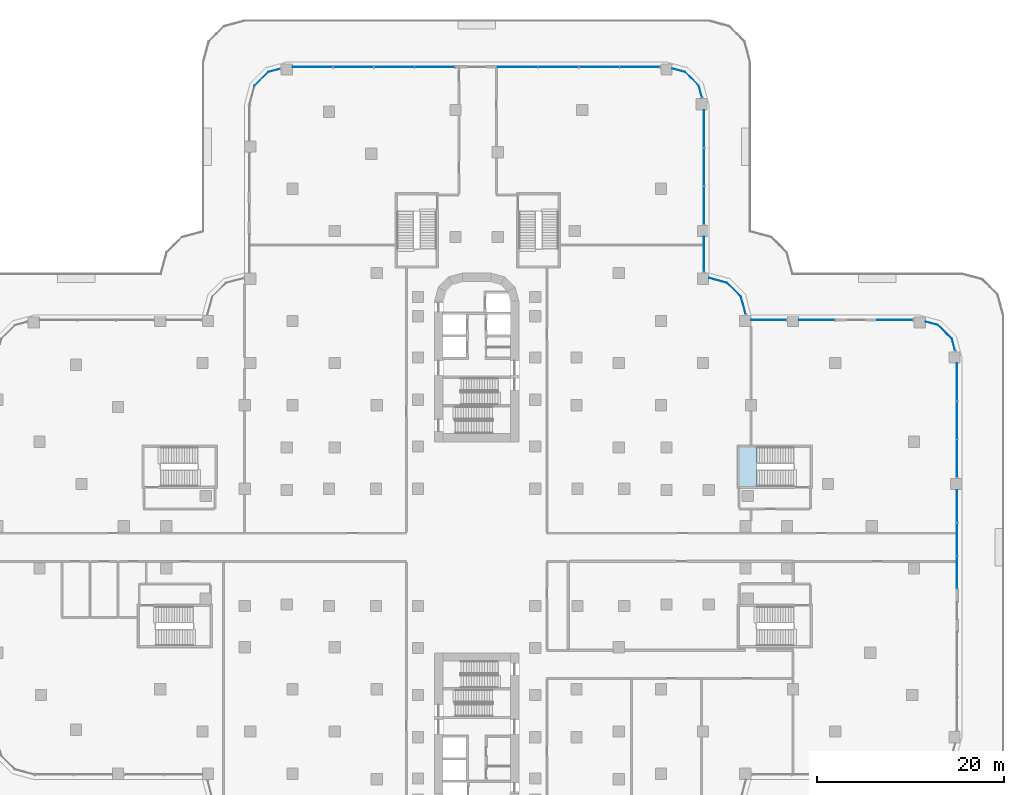
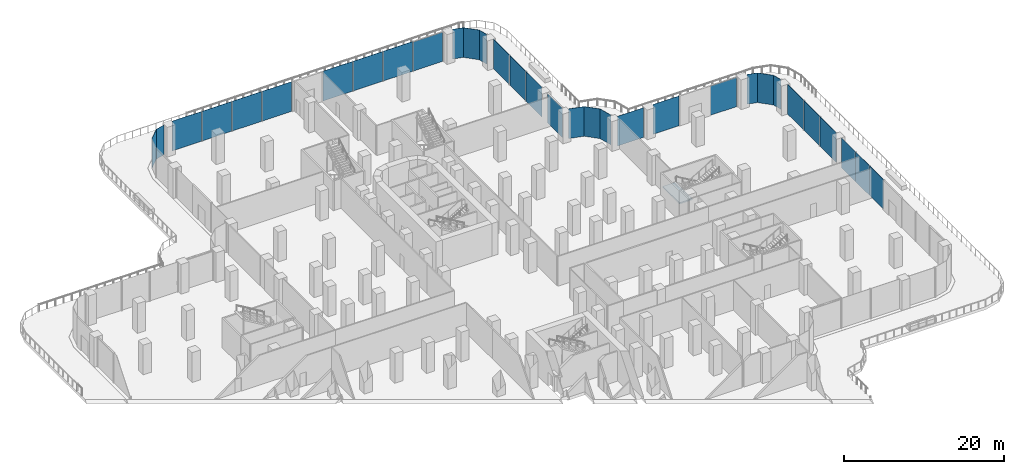
# One storey, part 15 of 30: 32 plates, 1 slab, 16 elements without a shape of their own.
"""IFC4 building model written with IfcOpenShell, lengths in metres."""

from ifc_helpers import new_model, si_unit, direction, frame, origin, place, context, subcontext, project, spatial, polyline, outline, extrude, source, transform, mapped, material, layer, layer_set, type_object, element, aggregate, save


model = new_model("IFC4")

# Units and contexts
model_context = context("Model", 3, precision=1e-05, world=origin(), true_north=direction((0.0, 1.0)))
body_context = subcontext(model_context, "Body", "Model", "MODEL_VIEW")
ifc_project = project(units=[si_unit("LENGTHUNIT", "METRE"), si_unit("AREAUNIT", "SQUARE_METRE"), si_unit("VOLUMEUNIT", "CUBIC_METRE"), si_unit("PLANEANGLEUNIT", "RADIAN"), si_unit("MASSUNIT", "GRAM", prefix="KILO")], contexts=[model_context])

# Site, building, storey
site_placement = place(None, origin())
site = spatial("IfcSite", under=ifc_project, at=site_placement, CompositionType="ELEMENT")
building_placement = place(site_placement, origin())
building = spatial("IfcBuilding", under=site, at=building_placement, Name="Zarbagh Exchange Tower", CompositionType="ELEMENT")
storey_placement = place(building_placement, frame((0.0, 0.0, 7.0)))
storey = spatial("IfcBuildingStorey", under=building, at=storey_placement, Name="L01", CompositionType="ELEMENT", Elevation=7.0)

# Stair, slab
ifc_material_1 = material(Name="Concrete C40/50", Category="concrete")
stair_type = type_object("IfcStairType", Name="Exit stair two-flight half-turn", PredefinedType="HALF_TURN_STAIR", material=ifc_material_1)
stair_placement = place(storey_placement, origin())
stair = element("IfcStair", 1, at=stair_placement, inside=storey, type_object=stair_type, Name="exit stair PS3", PredefinedType="HALF_TURN_STAIR")
ifc_layer_1 = layer(ifc_material_1, 0.199951171875)
ifc_layer_set_1 = layer_set([ifc_layer_1], Name="Stair landing 200 mm")
slab_type = type_object("IfcSlabType", Name="Stair landing 200 mm", PredefinedType="LANDING", material=ifc_layer_set_1)
slab_placement = place(storey_placement, frame((0.0, 0.0, 2.300048828125)))
slab = element("IfcSlab", 2, at=slab_placement, type_object=slab_type, Name="PS3 landing 1", PredefinedType="LANDING", context=body_context, shape_type="SweptSolid", body=[
    extrude(outline(polyline([(29.8798828125, 10.699951171875), (28.0, 10.699951171875), (28.0, 6.5), (29.8798828125, 6.5), (29.8798828125, 10.699951171875)])), origin(), (0.0, 0.0, 1.0), 0.199951171875),
])
aggregate(stair, [slab])

# Curtain wall, plate
ifc_material_2 = material(Name="Anodised aluminium frame and glazing", Category="aluminium")
curtain_wall_type = type_object("IfcCurtainWallType", Name="CWC Podium garden-wall glazing", PredefinedType="NOTDEFINED", material=ifc_material_2)
curtain_wall_1_placement = place(storey_placement, origin())
curtain_wall_1 = element("IfcCurtainWall", 3, at=curtain_wall_1_placement, inside=storey, type_object=curtain_wall_type, Name="CWC64 curtain wall", PredefinedType="NOTDEFINED")
ifc_material_3 = material(Name="Low-e double glazed unit, 6+12+6 mm")
ifc_layer_2 = layer(ifc_material_3, 0.031982421875)
ifc_layer_set_2 = layer_set([ifc_layer_2], Name="PAC Glazing panel, Low-e double glazed unit, 6+12+6 mm")
plate_type = type_object("IfcPlateType", Name="PAC Glazing panel, Low-e double glazed unit, 6+12+6 mm", PredefinedType="CURTAIN_PANEL", material=ifc_layer_set_2)
shared_shape_1 = source(origin(), body_context, "Body", "SweptSolid", [
    extrude(outline(polyline([(0.0, -0.01611328125), (2.061279296875, -0.01611328125), (2.061279296875, 0.01611328125), (0.0, 0.01611328125), (0.0, -0.01611328125)])), origin(), (0.0, 0.0, 1.0), 4.550048828125),
])
placement = place(storey_placement, origin())
plate_1 = element("IfcPlate", 4, at=placement, type_object=plate_type, Name="CWC64 glazing panel 1.1", PredefinedType="CURTAIN_PANEL", context=body_context, shape_type="MappedRepresentation", body=[
    mapped(shared_shape_1, transform((50.69873046875, 22.2412109375, 0.0), x_axis=(-0.707106781187, 0.707106781187, 0.0), y_axis=(-0.707106781187, -0.707106781187, 0.0), z_axis=(0.0, 0.0, 1.0))),
])
aggregate(curtain_wall_1, [plate_1])

curtain_wall_2_placement = place(storey_placement, origin())
curtain_wall_2 = element("IfcCurtainWall", 5, at=curtain_wall_2_placement, inside=storey, type_object=curtain_wall_type, Name="CWC68 curtain wall", PredefinedType="NOTDEFINED")
plate_2 = element("IfcPlate", 6, at=placement, type_object=plate_type, Name="CWC68 glazing panel 1.1", PredefinedType="CURTAIN_PANEL", context=body_context, shape_type="MappedRepresentation", body=[
    mapped(shared_shape_1, transform((28.19873046875, 26.7412109375, 0.0), x_axis=(-0.707106781187, 0.707106781187, 0.0), y_axis=(-0.707106781187, -0.707106781187, 0.0), z_axis=(0.0, 0.0, 1.0))),
])
aggregate(curtain_wall_2, [plate_2])

curtain_wall_3_placement = place(storey_placement, origin())
curtain_wall_3 = element("IfcCurtainWall", 7, at=curtain_wall_3_placement, inside=storey, type_object=curtain_wall_type, Name="CWC72 curtain wall", PredefinedType="NOTDEFINED")
plate_3 = element("IfcPlate", 8, at=placement, type_object=plate_type, Name="CWC72 glazing panel 1.1", PredefinedType="CURTAIN_PANEL", context=body_context, shape_type="MappedRepresentation", body=[
    mapped(shared_shape_1, transform((23.69873046875, 49.2412109375, 0.0), x_axis=(-0.707106781187, 0.707106781187, 0.0), y_axis=(-0.707106781187, -0.707106781187, 0.0), z_axis=(0.0, 0.0, 1.0))),
])
aggregate(curtain_wall_3, [plate_3])

curtain_wall_4_placement = place(storey_placement, origin())
curtain_wall_4 = element("IfcCurtainWall", 9, at=curtain_wall_4_placement, inside=storey, type_object=curtain_wall_type, Name="CWC76 curtain wall", PredefinedType="NOTDEFINED")
plate_4 = element("IfcPlate", 10, at=placement, type_object=plate_type, Name="CWC76 glazing panel 1.1", PredefinedType="CURTAIN_PANEL", context=body_context, shape_type="MappedRepresentation", body=[
    mapped(shared_shape_1, transform((-22.2412109375, 50.69873046875, 0.0), x_axis=(-0.707106781187, -0.707106781187, 0.0), y_axis=(0.707106781187, -0.707106781187, 0.0), z_axis=(0.0, 0.0, 1.0))),
])
aggregate(curtain_wall_4, [plate_4])

curtain_wall_5_placement = place(storey_placement, origin())
curtain_wall_5 = element("IfcCurtainWall", 11, at=curtain_wall_5_placement, inside=storey, type_object=curtain_wall_type, Name="CWC65 curtain wall", PredefinedType="NOTDEFINED")
shared_shape_2 = source(origin(), body_context, "Body", "SweptSolid", [
    extrude(outline(polyline([(0.0, -0.01611328125), (1.398681640625, -0.01611328125), (1.398681640625, 0.01611328125), (0.0, 0.01611328125), (0.0, -0.01611328125)])), origin(), (0.0, 0.0, 1.0), 4.550048828125),
])
plate_5 = element("IfcPlate", 12, at=placement, type_object=plate_type, Name="CWC65 glazing panel 1.1", PredefinedType="CURTAIN_PANEL", context=body_context, shape_type="MappedRepresentation", body=[
    mapped(shared_shape_2, transform((49.2412109375, 23.69873046875, 0.0), x_axis=(-0.965924289636, 0.258824779902, 0.0), y_axis=(-0.258824779902, -0.965924289636, 0.0), z_axis=(0.0, 0.0, 1.0))),
])
aggregate(curtain_wall_5, [plate_5])

curtain_wall_6_placement = place(storey_placement, origin())
curtain_wall_6 = element("IfcCurtainWall", 13, at=curtain_wall_6_placement, inside=storey, type_object=curtain_wall_type, Name="CWC73 curtain wall", PredefinedType="NOTDEFINED")
plate_6 = element("IfcPlate", 14, at=placement, type_object=plate_type, Name="CWC73 glazing panel 1.1", PredefinedType="CURTAIN_PANEL", context=body_context, shape_type="MappedRepresentation", body=[
    mapped(shared_shape_2, transform((22.2412109375, 50.69873046875, 0.0), x_axis=(-0.965924289636, 0.258824779902, 0.0), y_axis=(-0.258824779902, -0.965924289636, 0.0), z_axis=(0.0, 0.0, 1.0))),
])
aggregate(curtain_wall_6, [plate_6])

# Curtain wall, plates
curtain_wall_7_placement = place(storey_placement, origin())
curtain_wall_7 = element("IfcCurtainWall", 15, at=curtain_wall_7_placement, inside=storey, type_object=curtain_wall_type, Name="CWC62 curtain wall", PredefinedType="NOTDEFINED")
shared_shape_3 = source(origin(), body_context, "Body", "SweptSolid", [
    extrude(outline(polyline([(0.0, -0.01611328125), (3.993408203125, -0.01611328125), (3.993408203125, 0.01611328125), (0.0, 0.01611328125), (0.0, -0.01611328125)])), origin(), (0.0, 0.0, 1.0), 4.550048828125),
])
plate_7 = element("IfcPlate", 16, at=placement, type_object=plate_type, Name="CWC62 glazing panel 3.1", PredefinedType="CURTAIN_PANEL", context=body_context, shape_type="MappedRepresentation", body=[
    mapped(shared_shape_3, transform((51.25, 7.469970703125, 0.0), x_axis=(0.0, 1.0, 0.0), y_axis=(-1.0, 0.0, 0.0), z_axis=(0.0, 0.0, 1.0))),
])
plate_8 = element("IfcPlate", 17, at=placement, type_object=plate_type, Name="CWC62 glazing panel 3.2", PredefinedType="CURTAIN_PANEL", context=body_context, shape_type="MappedRepresentation", body=[
    mapped(shared_shape_3, transform((51.25, 11.54345703125, 0.0), x_axis=(0.0, 1.0, 0.0), y_axis=(-1.0, 0.0, 0.0), z_axis=(0.0, 0.0, 1.0))),
])
plate_9 = element("IfcPlate", 18, at=placement, type_object=plate_type, Name="CWC62 glazing panel 3.3", PredefinedType="CURTAIN_PANEL", context=body_context, shape_type="MappedRepresentation", body=[
    mapped(shared_shape_3, transform((51.25, 15.61669921875, 0.0), x_axis=(0.0, 1.0, 0.0), y_axis=(-1.0, 0.0, 0.0), z_axis=(0.0, 0.0, 1.0))),
])

curtain_wall_8_placement = place(storey_placement, origin())
curtain_wall_8 = element("IfcCurtainWall", 19, at=curtain_wall_8_placement, inside=storey, type_object=curtain_wall_type, Name="CWC70 curtain wall", PredefinedType="NOTDEFINED")
plate_10 = element("IfcPlate", 20, at=placement, type_object=plate_type, Name="CWC70 glazing panel 2.1", PredefinedType="CURTAIN_PANEL", context=body_context, shape_type="MappedRepresentation", body=[
    mapped(shared_shape_3, transform((24.25, 34.469970703125, 0.0), x_axis=(0.0, 1.0, 0.0), y_axis=(-1.0, 0.0, 0.0), z_axis=(0.0, 0.0, 1.0))),
])
plate_11 = element("IfcPlate", 21, at=placement, type_object=plate_type, Name="CWC70 glazing panel 2.2", PredefinedType="CURTAIN_PANEL", context=body_context, shape_type="MappedRepresentation", body=[
    mapped(shared_shape_3, transform((24.25, 38.54345703125, 0.0), x_axis=(0.0, 1.0, 0.0), y_axis=(-1.0, 0.0, 0.0), z_axis=(0.0, 0.0, 1.0))),
])
plate_12 = element("IfcPlate", 22, at=placement, type_object=plate_type, Name="CWC70 glazing panel 2.3", PredefinedType="CURTAIN_PANEL", context=body_context, shape_type="MappedRepresentation", body=[
    mapped(shared_shape_3, transform((24.25, 42.61669921875, 0.0), x_axis=(0.0, 1.0, 0.0), y_axis=(-1.0, 0.0, 0.0), z_axis=(0.0, 0.0, 1.0))),
])

# Curtain wall, plate
curtain_wall_9_placement = place(storey_placement, origin())
curtain_wall_9 = element("IfcCurtainWall", 23, at=curtain_wall_9_placement, inside=storey, type_object=curtain_wall_type, Name="CWC67 curtain wall", PredefinedType="NOTDEFINED")
shared_shape_4 = source(origin(), body_context, "Body", "SweptSolid", [
    extrude(outline(polyline([(0.0, -0.01611328125), (1.93994140625, -0.01611328125), (1.93994140625, 0.01611328125), (0.0, 0.01611328125), (0.0, -0.01611328125)])), origin(), (0.0, 0.0, 1.0), 4.550048828125),
])
plate_13 = element("IfcPlate", 24, at=placement, type_object=plate_type, Name="CWC67 glazing panel 1.1", PredefinedType="CURTAIN_PANEL", context=body_context, shape_type="MappedRepresentation", body=[
    mapped(shared_shape_4, transform((28.700927734375, 24.867431640625, 0.0), x_axis=(-0.258824779902, 0.965924289636, 0.0), y_axis=(-0.965924289636, -0.258824779902, 0.0), z_axis=(0.0, 0.0, 1.0))),
])
aggregate(curtain_wall_9, [plate_13])

curtain_wall_10_placement = place(storey_placement, origin())
curtain_wall_10 = element("IfcCurtainWall", 25, at=curtain_wall_10_placement, inside=storey, type_object=curtain_wall_type, Name="CWC69 curtain wall", PredefinedType="NOTDEFINED")
shared_shape_5 = source(origin(), body_context, "Body", "SweptSolid", [
    extrude(outline(polyline([(0.0, -0.01611328125), (2.02001953125, -0.01611328125), (2.02001953125, 0.01611328125), (0.0, 0.01611328125), (0.0, -0.01611328125)])), origin(), (0.0, 0.0, 1.0), 4.550048828125),
])
plate_14 = element("IfcPlate", 26, at=placement, type_object=plate_type, Name="CWC69 glazing panel 1.1", PredefinedType="CURTAIN_PANEL", context=body_context, shape_type="MappedRepresentation", body=[
    mapped(shared_shape_5, transform((26.7412109375, 28.19873046875, 0.0), x_axis=(-0.965924289636, 0.258824779902, 0.0), y_axis=(-0.258824779902, -0.965924289636, 0.0), z_axis=(0.0, 0.0, 1.0))),
])
aggregate(curtain_wall_10, [plate_14])

# Plate
shared_shape_6 = source(origin(), body_context, "Body", "SweptSolid", [
    extrude(outline(polyline([(0.0, -0.01611328125), (3.456787109375, -0.01611328125), (3.456787109375, 0.01611328125), (0.0, 0.01611328125), (0.0, -0.01611328125)])), origin(), (0.0, 0.0, 1.0), 4.550048828125),
])
plate_15 = element("IfcPlate", 27, at=placement, type_object=plate_type, Name="CWC62 glazing panel 2.1", PredefinedType="CURTAIN_PANEL", context=body_context, shape_type="MappedRepresentation", body=[
    mapped(shared_shape_6, transform((51.25, -4.419921875, 0.0), x_axis=(0.0, 1.0, 0.0), y_axis=(-1.0, 0.0, 0.0), z_axis=(0.0, 0.0, 1.0))),
])

plate_16 = element("IfcPlate", 28, at=placement, type_object=plate_type, Name="CWC62 glazing panel 2.2", PredefinedType="CURTAIN_PANEL", context=body_context, shape_type="MappedRepresentation", body=[
    mapped(shared_shape_6, transform((51.25, -0.88330078125, 0.0), x_axis=(0.0, 1.0, 0.0), y_axis=(-1.0, 0.0, 0.0), z_axis=(0.0, 0.0, 1.0))),
])

plate_17 = element("IfcPlate", 29, at=placement, type_object=plate_type, Name="CWC62 glazing panel 2.3", PredefinedType="CURTAIN_PANEL", context=body_context, shape_type="MappedRepresentation", body=[
    mapped(shared_shape_6, transform((51.25, 2.6533203125, 0.0), x_axis=(0.0, 1.0, 0.0), y_axis=(-1.0, 0.0, 0.0), z_axis=(0.0, 0.0, 1.0))),
])

aggregate(curtain_wall_7, [plate_15, plate_16, plate_17, plate_7, plate_8, plate_9])

# Curtain wall, plate
curtain_wall_11_placement = place(storey_placement, origin())
curtain_wall_11 = element("IfcCurtainWall", 30, at=curtain_wall_11_placement, inside=storey, type_object=curtain_wall_type, Name="CWC63 curtain wall", PredefinedType="NOTDEFINED")
shared_shape_7 = source(origin(), body_context, "Body", "SweptSolid", [
    extrude(outline(polyline([(0.0, -0.01611328125), (1.31884765625, -0.01611328125), (1.31884765625, 0.01611328125), (0.0, 0.01611328125), (0.0, -0.01611328125)])), origin(), (0.0, 0.0, 1.0), 4.550048828125),
])
plate_18 = element("IfcPlate", 31, at=placement, type_object=plate_type, Name="CWC63 glazing panel 1.1", PredefinedType="CURTAIN_PANEL", context=body_context, shape_type="MappedRepresentation", body=[
    mapped(shared_shape_7, transform((51.040283203125, 20.96728515625, 0.0), x_axis=(-0.258824779902, 0.965924289636, 0.0), y_axis=(-0.965924289636, -0.258824779902, 0.0), z_axis=(0.0, 0.0, 1.0))),
])
aggregate(curtain_wall_11, [plate_18])

curtain_wall_12_placement = place(storey_placement, origin())
curtain_wall_12 = element("IfcCurtainWall", 32, at=curtain_wall_12_placement, inside=storey, type_object=curtain_wall_type, Name="CWC71 curtain wall", PredefinedType="NOTDEFINED")
plate_19 = element("IfcPlate", 33, at=placement, type_object=plate_type, Name="CWC71 glazing panel 1.1", PredefinedType="CURTAIN_PANEL", context=body_context, shape_type="MappedRepresentation", body=[
    mapped(shared_shape_7, transform((24.040283203125, 47.96728515625, 0.0), x_axis=(-0.258824779902, 0.965924289636, 0.0), y_axis=(-0.965924289636, -0.258824779902, 0.0), z_axis=(0.0, 0.0, 1.0))),
])
aggregate(curtain_wall_12, [plate_19])

curtain_wall_13_placement = place(storey_placement, origin())
curtain_wall_13 = element("IfcCurtainWall", 34, at=curtain_wall_13_placement, inside=storey, type_object=curtain_wall_type, Name="CWC75 curtain wall", PredefinedType="NOTDEFINED")
plate_20 = element("IfcPlate", 35, at=placement, type_object=plate_type, Name="CWC75 glazing panel 1.1", PredefinedType="CURTAIN_PANEL", context=body_context, shape_type="MappedRepresentation", body=[
    mapped(shared_shape_7, transform((-20.96728515625, 51.040283203125, 0.0), x_axis=(-0.965924289636, -0.258824779902, 0.0), y_axis=(0.258824779902, -0.965924289636, 0.0), z_axis=(0.0, 0.0, 1.0))),
])
aggregate(curtain_wall_13, [plate_20])

# Curtain wall, plates
curtain_wall_14_placement = place(storey_placement, origin())
curtain_wall_14 = element("IfcCurtainWall", 36, at=curtain_wall_14_placement, inside=storey, type_object=curtain_wall_type, Name="CWC66 curtain wall", PredefinedType="NOTDEFINED")
shared_shape_8 = source(origin(), body_context, "Body", "SweptSolid", [
    extrude(outline(polyline([(0.0, -0.01611328125), (3.780029296875, -0.01611328125), (3.780029296875, 0.01611328125), (0.0, 0.01611328125), (0.0, -0.01611328125)])), origin(), (0.0, 0.0, 1.0), 4.469970703125),
])
plate_21 = element("IfcPlate", 37, at=placement, type_object=plate_type, Name="CWC66 glazing panel 1.1", PredefinedType="CURTAIN_PANEL", context=body_context, shape_type="MappedRepresentation", body=[
    mapped(shared_shape_8, transform((46.530029296875, 24.25, 0.0), x_axis=(-1.0, 0.0, 0.0), y_axis=(0.0, -1.0, 0.0), z_axis=(0.0, 0.0, 1.0))),
])
shared_shape_9 = source(origin(), body_context, "Body", "SweptSolid", [
    extrude(outline(polyline([(0.0, -0.01611328125), (3.780029296875, -0.01611328125), (3.780029296875, 0.01611328125), (0.0, 0.01611328125), (0.0, -0.01611328125)])), origin(), (0.0, 0.0, 1.0), 4.550048828125),
])
plate_22 = element("IfcPlate", 38, at=placement, type_object=plate_type, Name="CWC66 glazing panel 2.1", PredefinedType="CURTAIN_PANEL", context=body_context, shape_type="MappedRepresentation", body=[
    mapped(shared_shape_9, transform((38.169921875, 24.25, 0.0), x_axis=(-1.0, 0.0, 0.0), y_axis=(0.0, -1.0, 0.0), z_axis=(0.0, 0.0, 1.0))),
])
shared_shape_10 = source(origin(), body_context, "Body", "SweptSolid", [
    extrude(outline(polyline([(0.0, -0.01611328125), (3.739990234375, -0.01611328125), (3.739990234375, 0.01611328125), (0.0, 0.01611328125), (0.0, -0.01611328125)])), origin(), (0.0, 0.0, 1.0), 4.550048828125),
])
plate_23 = element("IfcPlate", 39, at=placement, type_object=plate_type, Name="CWC66 glazing panel 3.1", PredefinedType="CURTAIN_PANEL", context=body_context, shape_type="MappedRepresentation", body=[
    mapped(shared_shape_10, transform((33.030029296875, 24.25, 0.0), x_axis=(-1.0, 0.0, 0.0), y_axis=(0.0, -1.0, 0.0), z_axis=(0.0, 0.0, 1.0))),
])
aggregate(curtain_wall_14, [plate_21, plate_22, plate_23])

# Plate
shared_shape_11 = source(origin(), body_context, "Body", "SweptSolid", [
    extrude(outline(polyline([(0.0, -0.01611328125), (3.739990234375, -0.01611328125), (3.739990234375, 0.01611328125), (0.0, 0.01611328125), (0.0, -0.01611328125)])), origin(), (0.0, 0.0, 1.0), 4.469970703125),
])
plate_24 = element("IfcPlate", 40, at=placement, type_object=plate_type, Name="CWC70 glazing panel 1.1", PredefinedType="CURTAIN_PANEL", context=body_context, shape_type="MappedRepresentation", body=[
    mapped(shared_shape_11, transform((24.25, 29.3701171875, 0.0), x_axis=(0.0, 1.0, 0.0), y_axis=(-1.0, 0.0, 0.0), z_axis=(0.0, 0.0, 1.0))),
])

aggregate(curtain_wall_8, [plate_24, plate_10, plate_11, plate_12])

# Curtain wall, plates
curtain_wall_15_placement = place(storey_placement, origin())
curtain_wall_15 = element("IfcCurtainWall", 41, at=curtain_wall_15_placement, inside=storey, type_object=curtain_wall_type, Name="CWC74 curtain wall", PredefinedType="NOTDEFINED")
shared_shape_12 = source(origin(), body_context, "Body", "SweptSolid", [
    extrude(outline(polyline([(0.0, -0.01611328125), (4.260009765625, -0.01611328125), (4.260009765625, 0.01611328125), (0.0, 0.01611328125), (0.0, -0.01611328125)])), origin(), (0.0, 0.0, 1.0), 4.469970703125),
])
plate_25 = element("IfcPlate", 42, at=placement, type_object=plate_type, Name="CWC74 glazing panel 1.1", PredefinedType="CURTAIN_PANEL", context=body_context, shape_type="MappedRepresentation", body=[
    mapped(shared_shape_12, transform((19.530029296875, 51.25, 0.0), x_axis=(-1.0, 0.0, 0.0), y_axis=(0.0, -1.0, 0.0), z_axis=(0.0, 0.0, 1.0))),
])
shared_shape_13 = source(origin(), body_context, "Body", "SweptSolid", [
    extrude(outline(polyline([(0.0, -0.01611328125), (4.260009765625, -0.01611328125), (4.260009765625, 0.01611328125), (0.0, 0.01611328125), (0.0, -0.01611328125)])), origin(), (0.0, 0.0, 1.0), 4.550048828125),
])
plate_26 = element("IfcPlate", 43, at=placement, type_object=plate_type, Name="CWC74 glazing panel 1.2", PredefinedType="CURTAIN_PANEL", context=body_context, shape_type="MappedRepresentation", body=[
    mapped(shared_shape_13, transform((15.18994140625, 51.25, 0.0), x_axis=(-1.0, 0.0, 0.0), y_axis=(0.0, -1.0, 0.0), z_axis=(0.0, 0.0, 1.0))),
])
plate_27 = element("IfcPlate", 44, at=placement, type_object=plate_type, Name="CWC74 glazing panel 1.3", PredefinedType="CURTAIN_PANEL", context=body_context, shape_type="MappedRepresentation", body=[
    mapped(shared_shape_13, transform((10.849853515625, 51.25, 0.0), x_axis=(-1.0, 0.0, 0.0), y_axis=(0.0, -1.0, 0.0), z_axis=(0.0, 0.0, 1.0))),
])
plate_28 = element("IfcPlate", 45, at=placement, type_object=plate_type, Name="CWC74 glazing panel 1.4", PredefinedType="CURTAIN_PANEL", context=body_context, shape_type="MappedRepresentation", body=[
    mapped(shared_shape_13, transform((6.510009765625, 51.25, 0.0), x_axis=(-1.0, 0.0, 0.0), y_axis=(0.0, -1.0, 0.0), z_axis=(0.0, 0.0, 1.0))),
])
plate_29 = element("IfcPlate", 46, at=placement, type_object=plate_type, Name="CWC74 glazing panel 2.1", PredefinedType="CURTAIN_PANEL", context=body_context, shape_type="MappedRepresentation", body=[
    mapped(shared_shape_13, transform((-2.330078125, 51.25, 0.0), x_axis=(-1.0, 0.0, 0.0), y_axis=(0.0, -1.0, 0.0), z_axis=(0.0, 0.0, 1.0))),
])
plate_30 = element("IfcPlate", 47, at=placement, type_object=plate_type, Name="CWC74 glazing panel 2.2", PredefinedType="CURTAIN_PANEL", context=body_context, shape_type="MappedRepresentation", body=[
    mapped(shared_shape_13, transform((-6.669921875, 51.25, 0.0), x_axis=(-1.0, 0.0, 0.0), y_axis=(0.0, -1.0, 0.0), z_axis=(0.0, 0.0, 1.0))),
])
plate_31 = element("IfcPlate", 48, at=placement, type_object=plate_type, Name="CWC74 glazing panel 2.3", PredefinedType="CURTAIN_PANEL", context=body_context, shape_type="MappedRepresentation", body=[
    mapped(shared_shape_13, transform((-11.010009765625, 51.25, 0.0), x_axis=(-1.0, 0.0, 0.0), y_axis=(0.0, -1.0, 0.0), z_axis=(0.0, 0.0, 1.0))),
])
plate_32 = element("IfcPlate", 49, at=placement, type_object=plate_type, Name="CWC74 glazing panel 2.4", PredefinedType="CURTAIN_PANEL", context=body_context, shape_type="MappedRepresentation", body=[
    mapped(shared_shape_13, transform((-15.35009765625, 51.25, 0.0), x_axis=(-1.0, 0.0, 0.0), y_axis=(0.0, -1.0, 0.0), z_axis=(0.0, 0.0, 1.0))),
])
aggregate(curtain_wall_15, [plate_25, plate_26, plate_27, plate_28, plate_29, plate_30, plate_31, plate_32])

save(model, "model.ifc")
